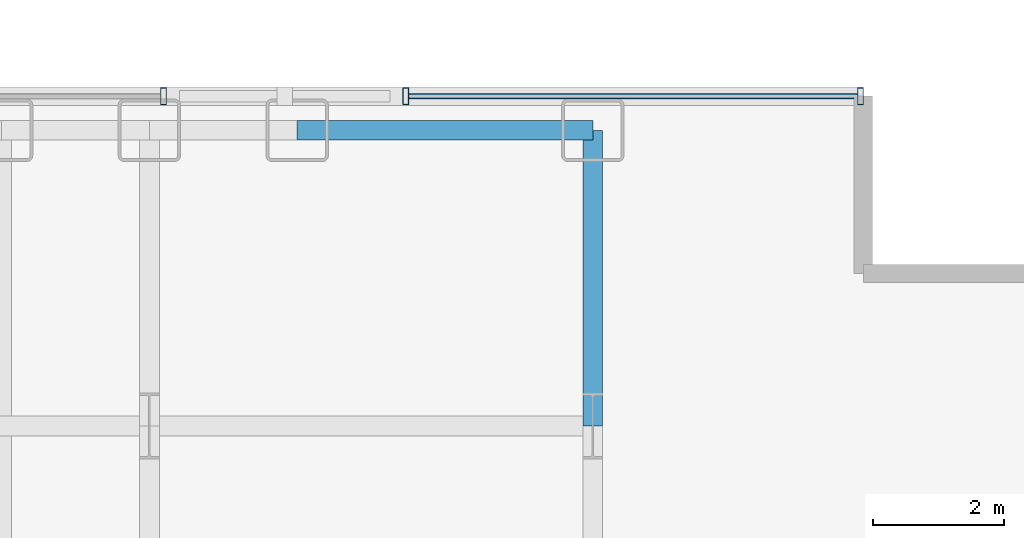
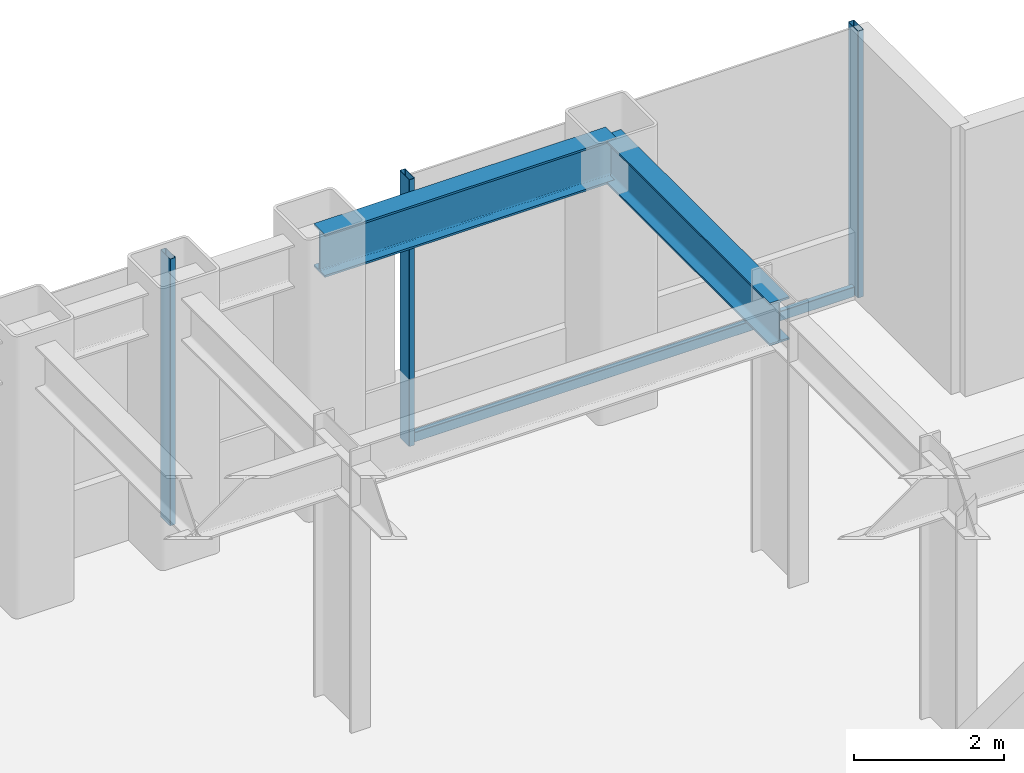
# One storey, part 17 of 30: 4 members, 2 beams, 2 elements without a shape of their own.
"""IFC4 building model written with IfcOpenShell, lengths in metres."""

from ifc_helpers import new_model, si_unit, direction, frame, origin, origin_2d, place, context, subcontext, project, spatial, hollow_rectangle, i_section, extrude, source, transform, mapped, material, layer, layer_set, material_profile, profile_set, type_object, element, aggregate, save


model = new_model("IFC4")

# Units and contexts
model_context = context("Model", 3, precision=1e-05, world=origin(), true_north=direction((0.0, 1.0)))
body_context = subcontext(model_context, "Body", "Model", "MODEL_VIEW")
ifc_project = project(units=[si_unit("LENGTHUNIT", "METRE"), si_unit("AREAUNIT", "SQUARE_METRE"), si_unit("VOLUMEUNIT", "CUBIC_METRE"), si_unit("PLANEANGLEUNIT", "RADIAN"), si_unit("MASSUNIT", "GRAM", prefix="KILO")], contexts=[model_context])

# Site, building, storey
site_placement = place(None, origin())
site = spatial("IfcSite", under=ifc_project, at=site_placement, CompositionType="ELEMENT")
building_placement = place(site_placement, origin())
building = spatial("IfcBuilding", under=site, at=building_placement, Name="Nefas-Gora Pilgrimage Tower", CompositionType="ELEMENT")
storey_placement = place(building_placement, frame((0.0, 0.0, 86.199951171875)))
storey = spatial("IfcBuildingStorey", under=building, at=storey_placement, Name="L20", CompositionType="ELEMENT", Elevation=86.199951171875)

# Beams
ifc_material_1 = material(Name="Steel S355", Category="steel")
ifc_material_profile_1 = material_profile(ifc_material_1, i_section(OverallWidth=0.300048828125, OverallDepth=0.699951171875, WebThickness=0.01708984375, FlangeThickness=0.031982421875, FilletRadius=0.027099609375, at=origin_2d()), Name="HEB 700")
ifc_profile_set_1 = profile_set([ifc_material_profile_1], Name="Steel S355")
beam_type_1 = type_object("IfcBeamType", Name="BM-SPN-HEB600", PredefinedType="SPANDREL", material=ifc_profile_set_1)
shared_shape_1 = source(origin(), body_context, "Body", "SweptSolid", [
    extrude(i_section(OverallWidth=0.300048828125, OverallDepth=0.699951171875, WebThickness=0.01708984375, FlangeThickness=0.031982421875, FilletRadius=0.027099609375, at=origin_2d()), origin(), (0.0, 0.0, 1.0), 4.5),
])
beam_1_placement = place(storey_placement, frame((20.25, 22.5, 4.0), z_axis=(1.0, 0.0, 0.0), x_axis=(0.0, 1.0, 0.0)))
element("IfcBeam", 1, at=beam_1_placement, inside=storey, type_object=beam_type_1, Name="L20 SP-01 beam", PredefinedType="SPANDREL", context=body_context, shape_type="MappedRepresentation", body=[
    mapped(shared_shape_1, transform((0.0, 0.0, 0.0), x_axis=(1.0, 0.0, 0.0), y_axis=(0.0, 1.0, 0.0), z_axis=(0.0, 0.0, 1.0), scale=1.0)),
])
ifc_material_profile_2 = material_profile(ifc_material_1, i_section(OverallWidth=0.300048828125, OverallDepth=0.699951171875, WebThickness=0.01708984375, FlangeThickness=0.031982421875, FilletRadius=0.027099609375, at=origin_2d()), Name="HEB 700")
ifc_profile_set_2 = profile_set([ifc_material_profile_2], Name="Steel S355")
beam_type_2 = type_object("IfcBeamType", Name="BM-GIR-HEB700", PredefinedType="BEAM", material=ifc_profile_set_2)
shared_shape_2 = source(origin(), body_context, "Body", "SweptSolid", [
    extrude(i_section(OverallWidth=0.300048828125, OverallDepth=0.699951171875, WebThickness=0.01708984375, FlangeThickness=0.031982421875, FilletRadius=0.027099609375, at=origin_2d()), origin(), (0.0, 0.0, 1.0), 4.5),
])
beam_2_placement = place(storey_placement, frame((24.75, 18.0, 4.0), z_axis=(0.0, 1.0, 0.0), x_axis=(-1.0, 0.0, 0.0)))
element("IfcBeam", 2, at=beam_2_placement, inside=storey, type_object=beam_type_2, Name="L20 G-02 beam", PredefinedType="BEAM", context=body_context, shape_type="MappedRepresentation", body=[
    mapped(shared_shape_2, transform((0.0, 0.0, 0.0), x_axis=(1.0, 0.0, 0.0), y_axis=(0.0, 1.0, 0.0), z_axis=(0.0, 0.0, 1.0), scale=1.0)),
])

# Curtain wall, members
ifc_material_2 = material(Name="Dark ceramic-fritted solar-control aluminium-glass curtain wall", Category="aluminium")
ifc_layer = layer(ifc_material_2, 0.219970703125)
ifc_layer_set = layer_set([ifc_layer], Name="Dark ceramic-fritted solar-control aluminium-glass curtain wall")
curtain_wall_type = type_object("IfcCurtainWallType", Name="CW-SYS-2", PredefinedType="NOTDEFINED", material=ifc_layer_set)
curtain_wall_1_placement = place(storey_placement, origin())
curtain_wall_1 = element("IfcCurtainWall", 3, at=curtain_wall_1_placement, inside=storey, type_object=curtain_wall_type, Name="L20 Unitised Curtain Wall CW2", PredefinedType="NOTDEFINED")
ifc_material_3 = material(Name="Anodised architectural aluminium", Category="aluminium")
ifc_material_profile_3 = material_profile(ifc_material_3, hollow_rectangle(XDim=0.090087890625, YDim=0.260009765625, WallThickness=0.006103515625, InnerFilletRadius=0.006103515625, OuterFilletRadius=0.011962890625, at=origin_2d()), Name="ALU MULLION 90x260")
ifc_profile_set_3 = profile_set([ifc_material_profile_3], Name="Anodised architectural aluminium")
member_type_1 = type_object("IfcMemberType", Name="CWM-MUL-2", PredefinedType="MULLION", material=ifc_profile_set_3)
shared_shape_3 = source(origin(), body_context, "Body", "SweptSolid", [
    extrude(hollow_rectangle(XDim=0.090087890625, YDim=0.260009765625, WallThickness=0.006103515625, InnerFilletRadius=0.006103515625, OuterFilletRadius=0.011962890625, at=origin_2d()), origin(), (0.0, 0.0, 1.0), 4.35009765625),
])
member_1_placement = place(storey_placement, frame((28.824951171875, 23.02001953125, 0.0), z_axis=(0.0, 0.0, 1.0), x_axis=(-1.0, 0.0, 0.0)))
member_1 = element("IfcMember", 4, at=member_1_placement, type_object=member_type_1, Name="CW2 Mullion 1", PredefinedType="MULLION", context=body_context, shape_type="MappedRepresentation", body=[
    mapped(shared_shape_3, transform((0.0, 0.0, 0.0), x_axis=(1.0, 0.0, 0.0), y_axis=(0.0, 1.0, 0.0), z_axis=(0.0, 0.0, 1.0), scale=1.0)),
])
member_2_placement = place(storey_placement, frame((21.905029296875, 23.02001953125, 0.0), z_axis=(0.0, 0.0, 1.0), x_axis=(-1.0, 0.0, 0.0)))
member_2 = element("IfcMember", 5, at=member_2_placement, type_object=member_type_1, Name="CW2 Mullion 2", PredefinedType="MULLION", context=body_context, shape_type="MappedRepresentation", body=[
    mapped(shared_shape_3, transform((0.0, 0.0, 0.0), x_axis=(1.0, 0.0, 0.0), y_axis=(0.0, 1.0, 0.0), z_axis=(0.0, 0.0, 1.0), scale=1.0)),
])

# Curtain wall, member
curtain_wall_2_placement = place(storey_placement, origin())
curtain_wall_2 = element("IfcCurtainWall", 6, at=curtain_wall_2_placement, inside=storey, type_object=curtain_wall_type, Name="L20 Unitised Curtain Wall CW2", PredefinedType="NOTDEFINED")
member_3_placement = place(storey_placement, frame((18.215087890625, 23.02001953125, 0.0), z_axis=(0.0, 0.0, 1.0), x_axis=(-1.0, 0.0, 0.0)))
member_3 = element("IfcMember", 7, at=member_3_placement, type_object=member_type_1, Name="CW2 Mullion 1", PredefinedType="MULLION", context=body_context, shape_type="MappedRepresentation", body=[
    mapped(shared_shape_3, transform((0.0, 0.0, 0.0), x_axis=(1.0, 0.0, 0.0), y_axis=(0.0, 1.0, 0.0), z_axis=(0.0, 0.0, 1.0), scale=1.0)),
])
aggregate(curtain_wall_2, [member_3])

# Member
ifc_material_profile_4 = material_profile(ifc_material_3, hollow_rectangle(XDim=0.080078125, YDim=0.159912109375, WallThickness=0.00439453125, InnerFilletRadius=0.00439453125, OuterFilletRadius=0.009033203125, at=origin_2d()), Name="ALU TRANSOM 80x160")
ifc_profile_set_4 = profile_set([ifc_material_profile_4], Name="Anodised architectural aluminium")
member_type_2 = type_object("IfcMemberType", Name="CWM-TRN-2", PredefinedType="USERDEFINED", material=ifc_profile_set_4)
shared_shape_4 = source(origin(), body_context, "Body", "SweptSolid", [
    extrude(hollow_rectangle(XDim=0.080078125, YDim=0.159912109375, WallThickness=0.00439453125, InnerFilletRadius=0.00439453125, OuterFilletRadius=0.009033203125, at=origin_2d()), origin(), (0.0, 0.0, 1.0), 6.830078125),
])
member_4_placement = place(storey_placement, frame((28.780029296875, 23.02001953125, 0.050048828125), z_axis=(-1.0, 0.0, 0.0), x_axis=(0.0, -1.0, 0.0)))
member_4 = element("IfcMember", 8, at=member_4_placement, type_object=member_type_2, Name="CW2 Spandrel Transom", ObjectType="TRANSOM", PredefinedType="USERDEFINED", context=body_context, shape_type="MappedRepresentation", body=[
    mapped(shared_shape_4, transform((0.0, 0.0, 0.0), x_axis=(1.0, 0.0, 0.0), y_axis=(0.0, 1.0, 0.0), z_axis=(0.0, 0.0, 1.0), scale=1.0)),
])

aggregate(curtain_wall_1, [member_1, member_2, member_4])

save(model, "model.ifc")
